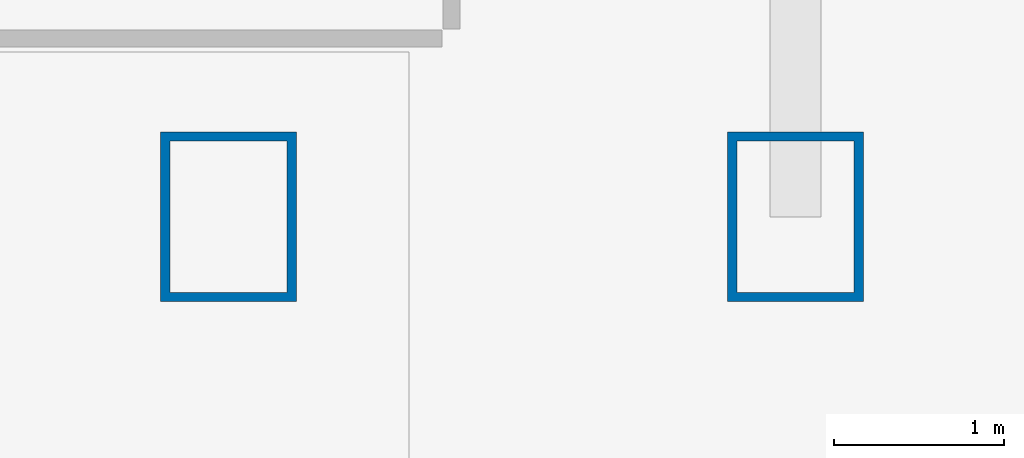
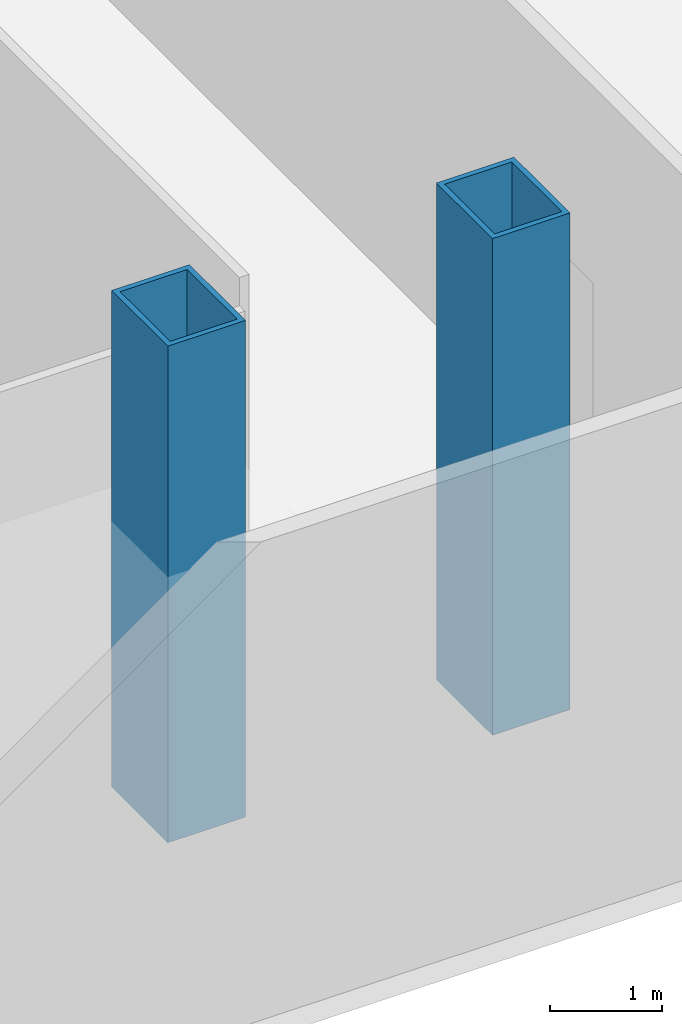
# One storey, part 3 of 16: 2 columns.
"""IFC4 building model written with IfcOpenShell, lengths in metres."""

from ifc_helpers import new_model, si_unit, direction, frame, origin, origin_2d, place, context, subcontext, project, spatial, hollow_rectangle, extrude, material, material_profile, profile_set, type_object, element, save


model = new_model("IFC4")

# Units and contexts
model_context = context("Model", 3, precision=1e-05, world=origin(), true_north=direction((0.0, 1.0)))
body_context = subcontext(model_context, "Body", "Model", "MODEL_VIEW")
ifc_project = project(units=[si_unit("LENGTHUNIT", "METRE"), si_unit("AREAUNIT", "SQUARE_METRE"), si_unit("VOLUMEUNIT", "CUBIC_METRE"), si_unit("PLANEANGLEUNIT", "RADIAN"), si_unit("MASSUNIT", "GRAM", prefix="KILO")], contexts=[model_context])

# Site, building, storey
site_placement = place(None, origin())
site = spatial("IfcSite", under=ifc_project, at=site_placement, CompositionType="ELEMENT")
building_placement = place(site_placement, origin())
building = spatial("IfcBuilding", under=site, at=building_placement, Name="Khoronbel Lancet Exchange", CompositionType="ELEMENT")
storey_placement = place(building_placement, origin())
storey = spatial("IfcBuildingStorey", under=building, at=storey_placement, Name="L00", CompositionType="ELEMENT", Elevation=0.0)

# Columns
ifc_material = material(Name="Steel S460", Category="steel")
ifc_material_profile = material_profile(ifc_material, hollow_rectangle(XDim=0.800048828125, YDim=1.0, WallThickness=0.054931640625, at=origin_2d()), Name="BOX 1000x800x55")
ifc_profile_set = profile_set([ifc_material_profile], Name="Steel S460")
column_type = type_object("IfcColumnType", Name="COL-EC1", PredefinedType="COLUMN", material=ifc_profile_set)
for number, where, z_axis, x_axis, name in (
    (1, (51.33740234375, 10.14990234375, 0.0), (0.0, 0.0, 1.0), (1.0, 0.0, 0.0), "Structural column SC-EM L00"),
    (2, (54.675048828125, 10.14990234375, 0.0), (0.0, 0.0, 1.0), (1.0, 0.0, 0.0), "Structural column SC-E2 L00"),
):
    element("IfcColumn", number, at=place(storey_placement, frame(where, z_axis=z_axis, x_axis=x_axis)), inside=storey, type_object=column_type, Name=name, PredefinedType="COLUMN", context=body_context, shape_type="SweptSolid", body=[
        extrude(hollow_rectangle(XDim=0.800048828125, YDim=1.0, WallThickness=0.054931640625, at=origin_2d()), origin(), (0.0, 0.0, 1.0), 5.39990234375),
    ])

save(model, "model.ifc")
